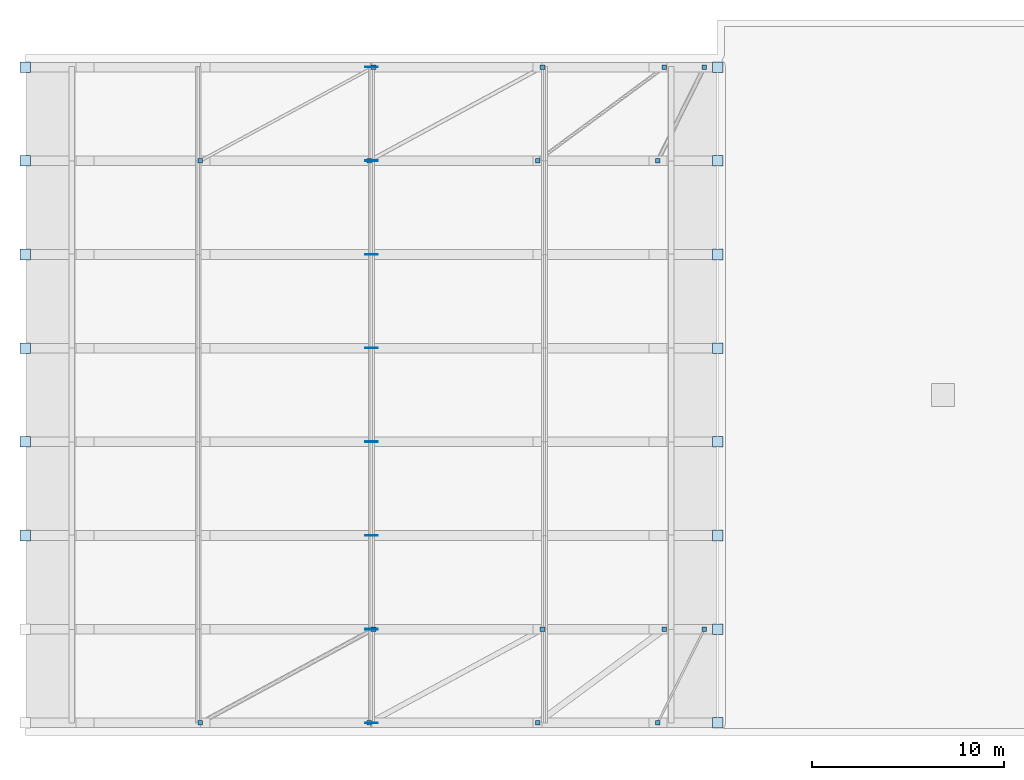
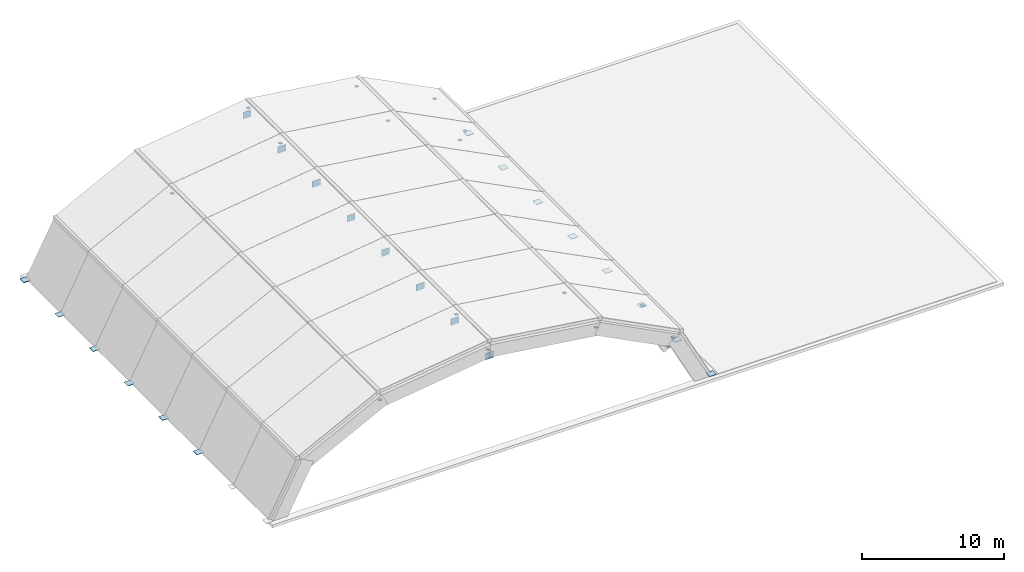
# One storey, part 3 of 4: 22 plates, 16 discrete accessories.
"""IFC4 building model written with IfcOpenShell, lengths in metres."""

import ifcopenshell
import ifcopenshell.guid

model = None  # the IFC model being written
_history = None  # IfcOwnerHistory: only IFC2X3 demands one
_inside = {}  # id of a spatial element -> (the spatial element, [elements in it])
_under = {}  # id of a project, library or spatial element -> (it, [spatial elements below it])
_declared = {}  # id of a project -> (the project, [libraries it declares])
_typed = {}  # id of a type object -> (the type object, [elements of that type])
_made_of = {}  # id of a material, layer set ... -> (it, [elements and type objects made of it])


def new_model(schema):
    """Start an empty IFC model of exactly this schema.

    Asked for "IFC4X3", IfcOpenShell would pick the latest addendum, in which some entities
    have other attributes; the version numbers below select the first issue.
    IFC2X3 requires an IfcOwnerHistory on every rooted entity: one is made here for all.
    """
    global model, _history
    if schema == "IFC4X3":
        model = ifcopenshell.file(schema_version=(4, 3, 0, 0))
    else:
        model = ifcopenshell.file(schema=schema)
    _inside.clear()
    _under.clear()
    _declared.clear()
    _typed.clear()
    _made_of.clear()
    _history = None
    if model.schema == "IFC2X3":
        org = make("IfcOrganization", Name="unknown")
        user = make(
            "IfcPersonAndOrganization",
            ThePerson=make("IfcPerson", FamilyName="unknown"),
            TheOrganization=org,
        )
        app = make(
            "IfcApplication",
            ApplicationDeveloper=org,
            Version="unknown",
            ApplicationFullName="unknown",
            ApplicationIdentifier="unknown",
        )
        _history = make(
            "IfcOwnerHistory",
            OwningUser=user,
            OwningApplication=app,
            ChangeAction="ADDED",
            CreationDate=0,
        )
    return model


def make(cls, **values):
    """One entity of the class cls with the attributes given. An attribute that is None is left unset."""
    return model.create_entity(
        cls, **{name: value for name, value in values.items() if value is not None}
    )


def rooted(cls, **values):
    """An entity with a GlobalId (a new one), such as an element, a storey or a relation."""
    return make(cls, GlobalId=ifcopenshell.guid.new(), OwnerHistory=_history, **values)


def si_unit(unit_type, name, prefix=None):
    """IfcSIUnit, for example si_unit("LENGTHUNIT", "METRE", prefix="MILLI")."""
    return make("IfcSIUnit", UnitType=unit_type, Prefix=prefix, Name=name)


def assignment(units):
    """IfcUnitAssignment: the units of a project."""
    return None if units is None else make("IfcUnitAssignment", Units=units)


def point(xyz):
    """IfcCartesianPoint."""
    return None if xyz is None else make("IfcCartesianPoint", Coordinates=xyz)


def direction(xyz):
    """IfcDirection."""
    return None if xyz is None else make("IfcDirection", DirectionRatios=xyz)


def frame(location, z_axis=None, x_axis=None):
    """IfcAxis2Placement3D, a coordinate frame: its origin and axes. An axis left out is left unset."""
    return make(
        "IfcAxis2Placement3D",
        Location=point(location),
        Axis=direction(z_axis),
        RefDirection=direction(x_axis),
    )


def frame_2d(location, x_axis=None):
    """IfcAxis2Placement2D, a coordinate frame in the plane: its origin and x axis."""
    return make(
        "IfcAxis2Placement2D", Location=point(location), RefDirection=direction(x_axis)
    )


def origin():
    """The frame at (0, 0, 0) with its axes left unset."""
    return frame((0.0, 0.0, 0.0))


def origin_2d():
    """The frame at (0, 0) in the plane with its x axis left unset."""
    return frame_2d((0.0, 0.0))


def place(relative_to, where):
    """IfcLocalPlacement: puts the frame where relative to a parent placement (None: the world)."""
    return make(
        "IfcLocalPlacement", PlacementRelTo=relative_to, RelativePlacement=where
    )


def context(
    kind, dimensions, precision=None, world=None, true_north=None, identifier=None
):
    """IfcGeometricRepresentationContext, for example the 3D "Model" context."""
    return make(
        "IfcGeometricRepresentationContext",
        ContextIdentifier=identifier,
        ContextType=kind,
        CoordinateSpaceDimension=dimensions,
        Precision=precision,
        WorldCoordinateSystem=world,
        TrueNorth=true_north,
    )


def subcontext(parent, identifier, kind, view, scale=None):
    """IfcGeometricRepresentationSubContext, for example "Body" below "Model"."""
    return make(
        "IfcGeometricRepresentationSubContext",
        ContextIdentifier=identifier,
        ContextType=kind,
        ParentContext=parent,
        TargetScale=scale,
        TargetView=view,
    )


def project(units=None, contexts=None):
    """IfcProject with its units and contexts."""
    return rooted(
        "IfcProject",
        Name="project",
        RepresentationContexts=contexts,
        UnitsInContext=assignment(units),
    )


def spatial(cls, under=None, at=None, **own):
    """A site, building, storey or space (cls), placed at a placement, below another one or the project."""
    s = rooted(cls, ObjectPlacement=at, **own)
    if under is not None:
        _under.setdefault(under.id(), (under, []))[1].append(s)
    return s


def profile(cls, at=None, kind="AREA", **sizes):
    """A parametric profile (cls). Its sizes go by their IFC names, for example OverallWidth=200.0."""
    return make(cls, ProfileType=kind, Position=at, **sizes)


def rectangle(**sizes):
    """IfcRectangleProfileDef."""
    return profile("IfcRectangleProfileDef", **sizes)


def extrude(swept, where, along, depth):
    """IfcExtrudedAreaSolid: the profile swept, set in the frame where, extruded along a direction by depth."""
    return make(
        "IfcExtrudedAreaSolid",
        SweptArea=swept,
        Position=where,
        ExtrudedDirection=direction(along),
        Depth=depth,
    )


def shape(context_of_items, identifier, shape_type, items):
    """IfcShapeRepresentation: the items that make up one representation, for example the "Body"."""
    return make(
        "IfcShapeRepresentation",
        ContextOfItems=context_of_items,
        RepresentationIdentifier=identifier,
        RepresentationType=shape_type,
        Items=items,
    )


def material(Name=None, Category=None):
    """IfcMaterial."""
    return make("IfcMaterial", Name=Name, Category=Category)


def layer(
    of_material, thickness, ventilated=None, Name=None, Category=None, Priority=None
):
    """IfcMaterialLayer: one layer of a wall or slab, of a material (None: an air gap)."""
    return make(
        "IfcMaterialLayer",
        Material=of_material,
        LayerThickness=thickness,
        IsVentilated=ventilated,
        Name=Name,
        Category=Category,
        Priority=Priority,
    )


def layer_set(layers, Name=None):
    """IfcMaterialLayerSet."""
    return make("IfcMaterialLayerSet", MaterialLayers=layers, LayerSetName=Name)


def made_of(thing, what):
    """Note that an element or type object is made of a material, layer set ...; save() writes the relation."""
    if what is not None:
        _made_of.setdefault(what.id(), (what, []))[1].append(thing)
    return thing


def type_object(cls, material=None, **own):
    """A type object (cls), such as IfcWallType, which elements share."""
    return made_of(rooted(cls, **own), material)


def element(
    cls,
    number,
    at=None,
    inside=None,
    cuts=None,
    type_object=None,
    material=None,
    context=None,
    identifier="Body",
    shape_type=None,
    held_by="IfcProductDefinitionShape",
    body=None,
    shapes=None,
    **own,
):
    """One element of the class cls, such as IfcWall. Its Tag is "e" and its number.

    at: its placement. inside: the storey or other place that contains it. cuts: it is an
    opening in that element (IfcRelVoidsElement). A single representation is given by context,
    identifier, shape_type and body (its items); several are given by shapes. held_by: the class
    of the entity that holds the representations. save() writes the other relations.
    """
    e = rooted(cls, Tag="e%d" % number, ObjectPlacement=at, **own)
    if body is not None:
        shapes = [shape(context, identifier, shape_type, body)]
    if shapes is not None:
        e.Representation = make(held_by, Representations=shapes)
    if inside is not None:
        _inside.setdefault(inside.id(), (inside, []))[1].append(e)
    if cuts is not None:
        rooted(
            "IfcRelVoidsElement", RelatingBuildingElement=cuts, RelatedOpeningElement=e
        )
    if type_object is not None:
        _typed.setdefault(type_object.id(), (type_object, []))[1].append(e)
    return made_of(e, material)


def aggregate(whole, parts):
    """IfcRelAggregates: a whole, such as a stair, and the parts it consists of."""
    return rooted("IfcRelAggregates", RelatingObject=whole, RelatedObjects=parts)


def save(model, path):
    """Write the relations noted so far, then the file.

    IfcRelAggregates (storeys below a building ...), IfcRelContainedInSpatialStructure (elements
    in a storey), IfcRelDefinesByType, IfcRelAssociatesMaterial and IfcRelDeclares: one each for
    every whole, place, type object, material and project.
    """
    for whole, parts in _under.values():
        aggregate(whole, parts)
    for where, things in _inside.values():
        rooted(
            "IfcRelContainedInSpatialStructure",
            RelatedElements=things,
            RelatingStructure=where,
        )
    for kind, things in _typed.values():
        rooted("IfcRelDefinesByType", RelatedObjects=things, RelatingType=kind)
    for what, things in _made_of.values():
        rooted("IfcRelAssociatesMaterial", RelatedObjects=things, RelatingMaterial=what)
    for by, libraries in _declared.values():
        rooted("IfcRelDeclares", RelatingContext=by, RelatedDefinitions=libraries)
    model.write(path)


model = new_model("IFC4")

# Units and contexts
model_context = context("Model", 3, precision=1e-05, world=origin(), true_north=direction((0.0, 1.0)))
body_context = subcontext(model_context, "Body", "Model", "MODEL_VIEW")
ifc_project = project(units=[si_unit("LENGTHUNIT", "METRE"), si_unit("AREAUNIT", "SQUARE_METRE"), si_unit("VOLUMEUNIT", "CUBIC_METRE"), si_unit("PLANEANGLEUNIT", "RADIAN"), si_unit("MASSUNIT", "GRAM", prefix="KILO")], contexts=[model_context])

# Site, building, storey
site_placement = place(None, origin())
site = spatial("IfcSite", under=ifc_project, at=site_placement, CompositionType="ELEMENT")
building_placement = place(site_placement, origin())
building = spatial("IfcBuilding", under=site, at=building_placement, Name="Mithqara Police Headquarters", CompositionType="ELEMENT")
storey_placement = place(building_placement, frame((0.0, 0.0, 35.39990234375)))
storey = spatial("IfcBuildingStorey", under=building, at=storey_placement, Name="ROOF", CompositionType="ELEMENT", Elevation=35.39990234375)

# Plates
ifc_material = material(Name="Steel S355JR", Category="steel")
ifc_layer_1 = layer(ifc_material, 0.048095703125, Name="Steel S355JR")
ifc_layer_set_1 = layer_set([ifc_layer_1], Name="Steel S355JR")
plate_type_1 = type_object("IfcPlateType", Name="BASE PLATE 48", PredefinedType="SHEET", material=ifc_layer_set_1)
for number, where, z_axis, x_axis, name in (
    (1, (144.60009765625, 79.25, -0.0478515625), (0.0, 0.0, 1.0), (1.0, 0.0, 0.0), "Command and Control Room Barrel Vault Springing Shoe Plate E1"),
    (2, (108.60009765625, 113.35009765625, -0.0478515625), (0.0, 0.0, 1.0), (1.0, 0.0, 0.0), "Command and Control Room Barrel Vault Springing Shoe Plate W8"),
    (3, (144.60009765625, 113.35009765625, -0.0478515625), (0.0, 0.0, 1.0), (1.0, 0.0, 0.0), "Command and Control Room Barrel Vault Springing Shoe Plate E8"),
):
    element("IfcPlate", number, at=place(storey_placement, frame(where, z_axis=z_axis, x_axis=x_axis)), inside=storey, type_object=plate_type_1, Name=name, PredefinedType="SHEET", context=body_context, shape_type="SweptSolid", body=[
        extrude(rectangle(XDim=0.550048828125, YDim=0.550048828125, at=origin_2d()), origin(), (0.0, 0.0, 1.0), 0.048095703125),
    ])
ifc_layer_2 = layer(ifc_material, 0.02392578125, Name="Steel S355JR")
ifc_layer_set_2 = layer_set([ifc_layer_2], Name="Steel S355JR")
plate_type_2 = type_object("IfcPlateType", Name="GUSSET PLATE 24", PredefinedType="SHEET", material=ifc_layer_set_2)
for number, where, z_axis, x_axis, name in (
    (4, (144.60009765625, 84.121337890625, -0.035888671875), (0.0, 0.0, 1.0), (1.0, 0.0, 0.0), "Command and Control Room Barrel Vault Springing Shoe Plate E2"),
    (5, (108.60009765625, 88.992919921875, -0.035888671875), (0.0, 0.0, 1.0), (1.0, 0.0, 0.0), "Command and Control Room Barrel Vault Springing Shoe Plate W3"),
    (6, (144.60009765625, 88.992919921875, -0.035888671875), (0.0, 0.0, 1.0), (1.0, 0.0, 0.0), "Command and Control Room Barrel Vault Springing Shoe Plate E3"),
    (7, (108.60009765625, 93.8642578125, -0.035888671875), (0.0, 0.0, 1.0), (1.0, 0.0, 0.0), "Command and Control Room Barrel Vault Springing Shoe Plate W4"),
    (8, (144.60009765625, 93.8642578125, -0.035888671875), (0.0, 0.0, 1.0), (1.0, 0.0, 0.0), "Command and Control Room Barrel Vault Springing Shoe Plate E4"),
    (9, (108.60009765625, 98.735595703125, -0.035888671875), (0.0, 0.0, 1.0), (1.0, 0.0, 0.0), "Command and Control Room Barrel Vault Springing Shoe Plate W5"),
    (10, (144.60009765625, 98.735595703125, -0.035888671875), (0.0, 0.0, 1.0), (1.0, 0.0, 0.0), "Command and Control Room Barrel Vault Springing Shoe Plate E5"),
    (11, (108.60009765625, 103.607177734375, -0.035888671875), (0.0, 0.0, 1.0), (1.0, 0.0, 0.0), "Command and Control Room Barrel Vault Springing Shoe Plate W6"),
    (12, (144.60009765625, 103.607177734375, -0.035888671875), (0.0, 0.0, 1.0), (1.0, 0.0, 0.0), "Command and Control Room Barrel Vault Springing Shoe Plate E6"),
    (13, (108.60009765625, 108.478515625, -0.035888671875), (0.0, 0.0, 1.0), (1.0, 0.0, 0.0), "Command and Control Room Barrel Vault Springing Shoe Plate W7"),
    (14, (144.60009765625, 108.478515625, -0.035888671875), (0.0, 0.0, 1.0), (1.0, 0.0, 0.0), "Command and Control Room Barrel Vault Springing Shoe Plate E7"),
):
    element("IfcPlate", number, at=place(storey_placement, frame(where, z_axis=z_axis, x_axis=x_axis)), inside=storey, type_object=plate_type_2, Name=name, PredefinedType="SHEET", context=body_context, shape_type="SweptSolid", body=[
        extrude(rectangle(XDim=0.550048828125, YDim=0.550048828125, at=origin_2d()), origin(), (0.0, 0.0, 1.0), 0.02392578125),
    ])
ifc_layer_3 = layer(ifc_material, 0.035888671875, Name="Steel S355JR")
ifc_layer_set_3 = layer_set([ifc_layer_3], Name="Steel S355JR")
plate_type_3 = type_object("IfcPlateType", Name="GUSSET PLATE 36", PredefinedType="SHEET", material=ifc_layer_set_3)
for number, where, z_axis, x_axis, name in (
    (15, (126.60009765625, 79.25, 7.60498046875), (0.0, 0.0, 1.0), (1.0, 0.0, 0.0), "Command and Control Room Barrel Vault Crown Arch Node Plate 1"),
    (16, (126.60009765625, 84.121337890625, 7.60498046875), (0.0, 0.0, 1.0), (1.0, 0.0, 0.0), "Command and Control Room Barrel Vault Crown Arch Node Plate 2"),
    (17, (126.60009765625, 88.992919921875, 7.60498046875), (0.0, 0.0, 1.0), (1.0, 0.0, 0.0), "Command and Control Room Barrel Vault Crown Arch Node Plate 3"),
    (18, (126.60009765625, 93.8642578125, 7.60498046875), (0.0, 0.0, 1.0), (1.0, 0.0, 0.0), "Command and Control Room Barrel Vault Crown Arch Node Plate 4"),
    (19, (126.60009765625, 98.735595703125, 7.60498046875), (0.0, 0.0, 1.0), (1.0, 0.0, 0.0), "Command and Control Room Barrel Vault Crown Arch Node Plate 5"),
    (20, (126.60009765625, 103.607177734375, 7.60498046875), (0.0, 0.0, 1.0), (1.0, 0.0, 0.0), "Command and Control Room Barrel Vault Crown Arch Node Plate 6"),
    (21, (126.60009765625, 108.478515625, 7.60498046875), (0.0, 0.0, 1.0), (1.0, 0.0, 0.0), "Command and Control Room Barrel Vault Crown Arch Node Plate 7"),
    (22, (126.60009765625, 113.35009765625, 7.60498046875), (0.0, 0.0, 1.0), (1.0, 0.0, 0.0), "Command and Control Room Barrel Vault Crown Arch Node Plate 8"),
):
    element("IfcPlate", number, at=place(storey_placement, frame(where, z_axis=z_axis, x_axis=x_axis)), inside=storey, type_object=plate_type_3, Name=name, PredefinedType="SHEET", context=body_context, shape_type="SweptSolid", body=[
        extrude(rectangle(XDim=0.64990234375, YDim=0.035888671875, at=origin_2d()), origin(), (0.0, 0.0, 1.0), 0.550048828125),
    ])

# Discrete accessories
discrete_accessory_type = type_object("IfcDiscreteAccessoryType", Name="END CONN PLATE", PredefinedType="BRACKET", material=ifc_material)
for number, where, z_axis, x_axis, name in (
    (23, (117.70654296875, 79.25, 7.177734375), (0.0, 0.0, 1.0), (1.0, 0.0, 0.0), "Brace End Connection Plate 37A"),
    (24, (126.70654296875, 84.121337890625, 8.410400390625), (0.0, 0.0, 1.0), (1.0, 0.0, 0.0), "Brace End Connection Plate 38B"),
    (25, (126.493408203125, 79.25, 8.410400390625), (0.0, 0.0, 1.0), (1.0, 0.0, 0.0), "Brace End Connection Plate 39A"),
    (26, (135.493408203125, 84.121337890625, 7.177734375), (0.0, 0.0, 1.0), (1.0, 0.0, 0.0), "Brace End Connection Plate 40B"),
    (27, (135.24267578125, 79.25, 7.256591796875), (0.0, 0.0, 1.0), (1.0, 0.0, 0.0), "Brace End Connection Plate 41A"),
    (28, (141.831298828125, 84.121337890625, 3.88916015625), (0.0, 0.0, 1.0), (1.0, 0.0, 0.0), "Brace End Connection Plate 42B"),
    (29, (141.4931640625, 79.25, 4.2236328125), (0.0, 0.0, 1.0), (1.0, 0.0, 0.0), "Brace End Connection Plate 43A"),
    (30, (143.90478515625, 84.121337890625, -0.37646484375), (0.0, 0.0, 1.0), (1.0, 0.0, 0.0), "Brace End Connection Plate 44B"),
    (31, (117.70654296875, 108.478515625, 7.177734375), (0.0, 0.0, 1.0), (1.0, 0.0, 0.0), "Brace End Connection Plate 45A"),
    (32, (126.70654296875, 113.35009765625, 8.410400390625), (0.0, 0.0, 1.0), (1.0, 0.0, 0.0), "Brace End Connection Plate 46B"),
    (33, (126.493408203125, 108.478515625, 8.410400390625), (0.0, 0.0, 1.0), (1.0, 0.0, 0.0), "Brace End Connection Plate 47A"),
    (34, (135.493408203125, 113.35009765625, 7.177734375), (0.0, 0.0, 1.0), (1.0, 0.0, 0.0), "Brace End Connection Plate 48B"),
    (35, (135.24267578125, 108.478515625, 7.256591796875), (0.0, 0.0, 1.0), (1.0, 0.0, 0.0), "Brace End Connection Plate 49A"),
    (36, (141.831298828125, 113.35009765625, 3.88916015625), (0.0, 0.0, 1.0), (1.0, 0.0, 0.0), "Brace End Connection Plate 50B"),
    (37, (141.4931640625, 108.478515625, 4.2236328125), (0.0, 0.0, 1.0), (1.0, 0.0, 0.0), "Brace End Connection Plate 51A"),
    (38, (143.90478515625, 113.35009765625, -0.37646484375), (0.0, 0.0, 1.0), (1.0, 0.0, 0.0), "Brace End Connection Plate 52B"),
):
    element("IfcDiscreteAccessory", number, at=place(storey_placement, frame(where, z_axis=z_axis, x_axis=x_axis)), inside=storey, type_object=discrete_accessory_type, Name=name, PredefinedType="BRACKET", context=body_context, shape_type="SweptSolid", body=[
        extrude(rectangle(XDim=0.239990234375, YDim=0.239990234375, at=origin_2d()), origin(), (0.0, 0.0, 1.0), 0.02392578125),
    ])

save(model, "model.ifc")
